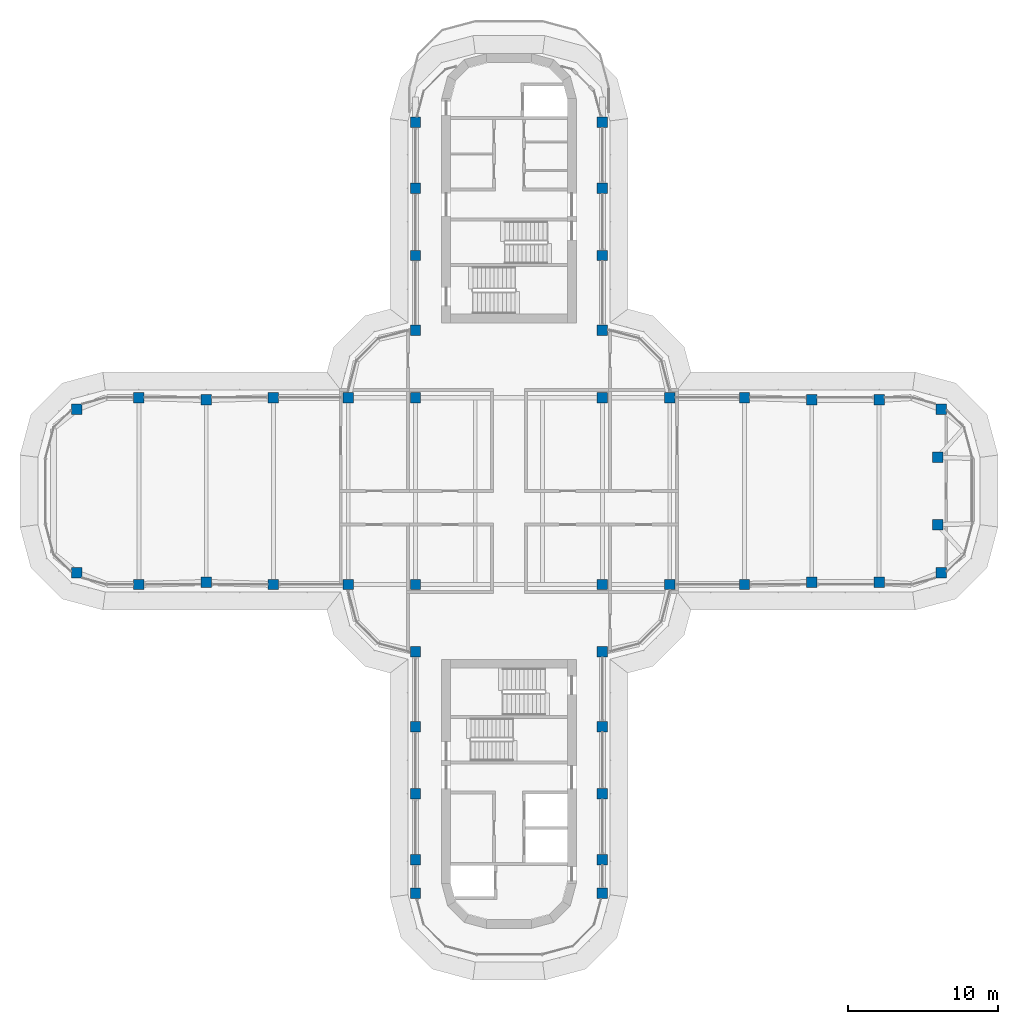
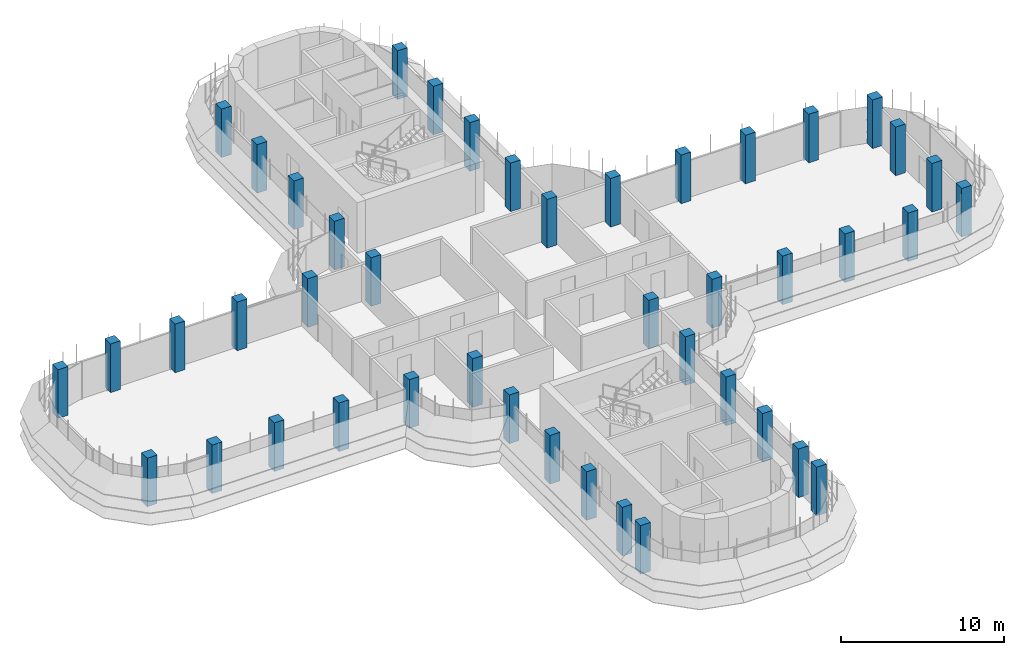
# One storey, part 1 of 19: 44 columns.
"""IFC4 building model written with IfcOpenShell, lengths in metres."""

from ifc_helpers import new_model, si_unit, direction, frame, origin, origin_2d, place, context, subcontext, project, spatial, rectangle, extrude, material, material_profile, profile_set, type_object, element, save


model = new_model("IFC4")

# Units and contexts
model_context = context("Model", 3, precision=1e-05, world=origin(), true_north=direction((0.0, 1.0)))
body_context = subcontext(model_context, "Body", "Model", "MODEL_VIEW")
ifc_project = project(units=[si_unit("LENGTHUNIT", "METRE"), si_unit("AREAUNIT", "SQUARE_METRE"), si_unit("VOLUMEUNIT", "CUBIC_METRE"), si_unit("PLANEANGLEUNIT", "RADIAN"), si_unit("MASSUNIT", "GRAM", prefix="KILO")], contexts=[model_context])

# Site, building, storey
site_placement = place(None, origin())
site = spatial("IfcSite", under=ifc_project, at=site_placement, CompositionType="ELEMENT")
building_placement = place(site_placement, origin())
building = spatial("IfcBuilding", under=site, at=building_placement, Name="Zarbagh Exchange Tower", CompositionType="ELEMENT")
storey_placement = place(building_placement, frame((0.0, 0.0, 218.199951171875)))
storey = spatial("IfcBuildingStorey", under=building, at=storey_placement, Name="L53", CompositionType="ELEMENT", Elevation=218.199951171875)

# Columns
ifc_material = material(Name="Concrete C50/60", Category="concrete")
ifc_material_profile = material_profile(ifc_material, rectangle(XDim=0.699951171875, YDim=0.699951171875, at=origin_2d()), Name="RC column 700 x 700 C50/60")
ifc_profile_set = profile_set([ifc_material_profile], Name="Concrete C50/60")
column_type = type_object("IfcColumnType", Name="RC column 700 x 700 C50/60", PredefinedType="COLUMN", material=ifc_profile_set)
for number, where, z_axis, x_axis, name in (
    (1, (-28.907958984375, -5.47509765625, 0.0), (0.0, 0.0, 1.0), (1.0, 0.0, 0.0), "C5 11/R"),
    (2, (-28.907958984375, 5.47509765625, 0.0), (0.0, 0.0, 1.0), (1.0, 0.0, 0.0), "C5 11/U"),
    (3, (-24.75, -6.25, 0.0), (0.0, 0.0, 1.0), (1.0, 0.0, 0.0), "C5 12/R"),
    (4, (-24.75, 6.25, 0.0), (0.0, 0.0, 1.0), (1.0, 0.0, 0.0), "C5 12/U"),
    (5, (-20.25, -6.110107421875, 0.0), (0.0, 0.0, 1.0), (1.0, 0.0, 0.0), "C5 13/R"),
    (6, (-20.25, 6.110107421875, 0.0), (0.0, 0.0, 1.0), (1.0, 0.0, 0.0), "C5 13/U"),
    (7, (-15.75, -6.25, 0.0), (0.0, 0.0, 1.0), (1.0, 0.0, 0.0), "C5 14/R"),
    (8, (-15.75, 6.25, 0.0), (0.0, 0.0, 1.0), (1.0, 0.0, 0.0), "C5 14/U"),
    (9, (-10.75, -6.25, 0.0), (0.0, 0.0, 1.0), (1.0, 0.0, 0.0), "C5 15/R"),
    (10, (-10.75, 6.25, 0.0), (0.0, 0.0, 1.0), (1.0, 0.0, 0.0), "C5 15/U"),
    (11, (-6.25, -26.89990234375, 0.0), (0.0, 0.0, 1.0), (1.0, 0.0, 0.0), "C5 16/L"),
    (12, (-6.25, -24.64990234375, 0.0), (0.0, 0.0, 1.0), (1.0, 0.0, 0.0), "C5 16/M"),
    (13, (-6.25, -20.25, 0.0), (0.0, 0.0, 1.0), (1.0, 0.0, 0.0), "C5 16/N"),
    (14, (-6.25, -15.75, 0.0), (0.0, 0.0, 1.0), (1.0, 0.0, 0.0), "C5 16/P"),
    (15, (-6.25, -10.75, 0.0), (0.0, 0.0, 1.0), (1.0, 0.0, 0.0), "C5 16/Q"),
    (16, (-6.25, -6.25, 0.0), (0.0, 0.0, 1.0), (1.0, 0.0, 0.0), "C5 16/R"),
    (17, (-6.25, 6.25, 0.0), (0.0, 0.0, 1.0), (1.0, 0.0, 0.0), "C5 16/U"),
    (18, (-6.25, 10.75, 0.0), (0.0, 0.0, 1.0), (1.0, 0.0, 0.0), "C5 16/V"),
    (19, (-6.25, 15.75, 0.0), (0.0, 0.0, 1.0), (1.0, 0.0, 0.0), "C5 16/W"),
    (20, (-6.25, 20.25, 0.0), (0.0, 0.0, 1.0), (1.0, 0.0, 0.0), "C5 16/X"),
    (21, (-6.25, 24.64990234375, 0.0), (0.0, 0.0, 1.0), (1.0, 0.0, 0.0), "C5 16/Y"),
    (22, (6.25, -26.89990234375, 0.0), (0.0, 0.0, 1.0), (1.0, 0.0, 0.0), "C5 19/L"),
    (23, (6.25, -24.64990234375, 0.0), (0.0, 0.0, 1.0), (1.0, 0.0, 0.0), "C5 19/M"),
    (24, (6.25, -20.25, 0.0), (0.0, 0.0, 1.0), (1.0, 0.0, 0.0), "C5 19/N"),
    (25, (6.25, -15.75, 0.0), (0.0, 0.0, 1.0), (1.0, 0.0, 0.0), "C5 19/P"),
    (26, (6.25, -10.75, 0.0), (0.0, 0.0, 1.0), (1.0, 0.0, 0.0), "C5 19/Q"),
    (27, (6.25, -6.25, 0.0), (0.0, 0.0, 1.0), (1.0, 0.0, 0.0), "C5 19/R"),
    (28, (6.25, 6.25, 0.0), (0.0, 0.0, 1.0), (1.0, 0.0, 0.0), "C5 19/U"),
    (29, (6.25, 10.75, 0.0), (0.0, 0.0, 1.0), (1.0, 0.0, 0.0), "C5 19/V"),
    (30, (6.25, 15.75, 0.0), (0.0, 0.0, 1.0), (1.0, 0.0, 0.0), "C5 19/W"),
    (31, (6.25, 20.25, 0.0), (0.0, 0.0, 1.0), (1.0, 0.0, 0.0), "C5 19/X"),
    (32, (6.25, 24.64990234375, 0.0), (0.0, 0.0, 1.0), (1.0, 0.0, 0.0), "C5 19/Y"),
    (33, (10.75, -6.25, 0.0), (0.0, 0.0, 1.0), (1.0, 0.0, 0.0), "C5 20/R"),
    (34, (10.75, 6.25, 0.0), (0.0, 0.0, 1.0), (1.0, 0.0, 0.0), "C5 20/U"),
    (35, (15.75, -6.25, 0.0), (0.0, 0.0, 1.0), (1.0, 0.0, 0.0), "C5 21/R"),
    (36, (15.75, 6.25, 0.0), (0.0, 0.0, 1.0), (1.0, 0.0, 0.0), "C5 21/U"),
    (37, (20.25, -6.110107421875, 0.0), (0.0, 0.0, 1.0), (1.0, 0.0, 0.0), "C5 22/R"),
    (38, (20.25, 6.110107421875, 0.0), (0.0, 0.0, 1.0), (1.0, 0.0, 0.0), "C5 22/U"),
    (39, (24.75, -6.110107421875, 0.0), (0.0, 0.0, 1.0), (1.0, 0.0, 0.0), "C5 23/R"),
    (40, (24.75, 6.110107421875, 0.0), (0.0, 0.0, 1.0), (1.0, 0.0, 0.0), "C5 23/U"),
    (41, (28.907958984375, -5.47509765625, 0.0), (0.0, 0.0, 1.0), (1.0, 0.0, 0.0), "C5 24/R"),
    (42, (28.669921875, -2.25, 0.0), (0.0, 0.0, 1.0), (1.0, 0.0, 0.0), "C5 24/S"),
    (43, (28.669921875, 2.25, 0.0), (0.0, 0.0, 1.0), (1.0, 0.0, 0.0), "C5 24/T"),
    (44, (28.907958984375, 5.47509765625, 0.0), (0.0, 0.0, 1.0), (1.0, 0.0, 0.0), "C5 24/U"),
):
    element("IfcColumn", number, at=place(storey_placement, frame(where, z_axis=z_axis, x_axis=x_axis)), inside=storey, type_object=column_type, Name=name, PredefinedType="COLUMN", context=body_context, shape_type="SweptSolid", body=[
        extrude(rectangle(XDim=0.699951171875, YDim=0.699951171875, at=origin_2d()), origin(), (0.0, 0.0, 1.0), 3.650146484375),
    ])

save(model, "model.ifc")
